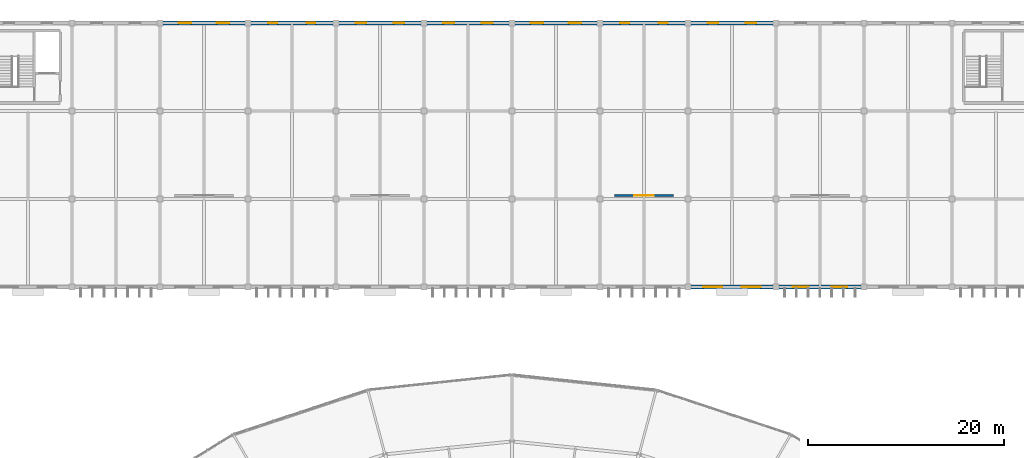
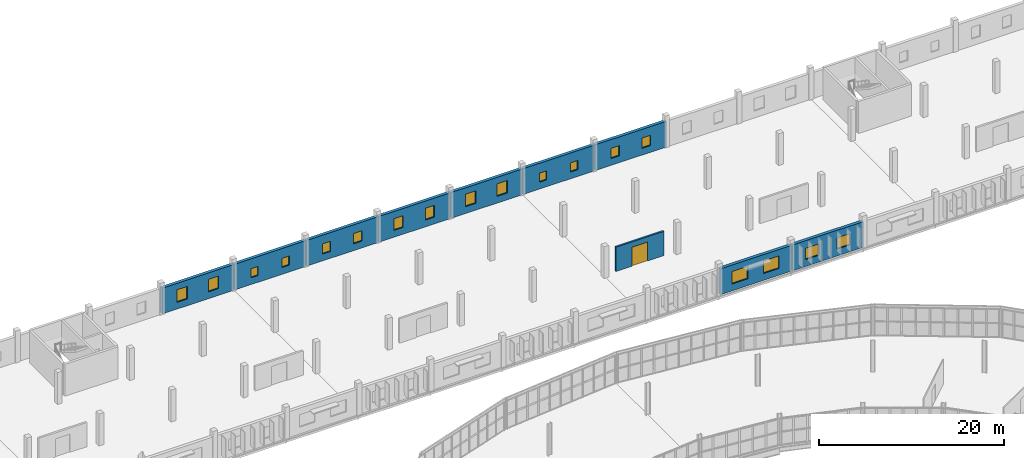
# One storey, part 146 of 161: 18 windows, 10 walls, 1 door, 19 openings.
"""IFC4 building model written with IfcOpenShell, lengths in metres."""

from ifc_helpers import new_model, si_unit, direction, frame, frame_2d, origin, place, context, subcontext, project, spatial, rectangle, extrude, material, layer, layer_set, type_object, element, fill, save


model = new_model("IFC4")

# Units and contexts
model_context = context("Model", 3, precision=1e-05, world=origin(), true_north=direction((0.0, 1.0)))
body_context = subcontext(model_context, "Body", "Model", "MODEL_VIEW")
ifc_project = project(units=[si_unit("LENGTHUNIT", "METRE"), si_unit("AREAUNIT", "SQUARE_METRE"), si_unit("VOLUMEUNIT", "CUBIC_METRE"), si_unit("PLANEANGLEUNIT", "RADIAN"), si_unit("MASSUNIT", "GRAM", prefix="KILO")], contexts=[model_context])

# Site, building, storey
site_placement = place(None, origin())
site = spatial("IfcSite", under=ifc_project, at=site_placement, CompositionType="ELEMENT")
building_placement = place(site_placement, origin())
building = spatial("IfcBuilding", under=site, at=building_placement, Name="Kildeholm Park Wholesale Market", CompositionType="ELEMENT")
storey_placement = place(building_placement, frame((0.0, 0.0, 5.39990234375)))
storey = spatial("IfcBuildingStorey", under=building, at=storey_placement, Name="L01", CompositionType="ELEMENT", Elevation=5.39990234375)

# Wall, openings, windows
ifc_material_1 = material(Name="Precast concrete C40/50 insulated cold-store envelope wall", Category="concrete")
ifc_layer_1 = layer(ifc_material_1, 0.3798828125)
ifc_layer_set_1 = layer_set([ifc_layer_1], Name="Precast concrete C40/50 insulated cold-store envelope wall")
wall_type_1 = type_object("IfcWallType", Name="Exterior wall W-CS1 380 mm", PredefinedType="SOLIDWALL", material=ifc_layer_set_1)
wall_1_placement = place(storey_placement, frame((63.06005859375, 171.0, 0.0), z_axis=(0.0, 0.0, 1.0), x_axis=(1.0, 0.0, 0.0)))
wall_1 = element("IfcWall", 1, at=wall_1_placement, inside=storey, type_object=wall_type_1, Name="Exterior wall V4N-L01.8 WL-0344", PredefinedType="SOLIDWALL", context=body_context, shape_type="SweptSolid", body=[
    extrude(rectangle(XDim=8.8798828125, YDim=0.3798828125, at=frame_2d((4.43994140625, 0.0))), origin(), (0.0, 0.0, 1.0), 3.400146484375),
])
opening_1_placement = place(wall_1_placement, frame((1.845947265625, 0.0, 0.89990234375)))
opening_1 = element("IfcOpeningElement", 2, at=opening_1_placement, cuts=wall_1, Name="Opening WN-36", PredefinedType="OPENING", context=body_context, shape_type="SweptSolid", body=[
    extrude(rectangle(XDim=1.280029296875, YDim=1.64990234375, at=frame_2d((0.64013671875, 0.824951171875))), frame((0.0, 0.199951171875, 0.0), z_axis=(0.0, -1.0, 0.0), x_axis=(1.0, 0.0, 0.0)), (0.0, 0.0, 1.0), 0.39990234375),
])
opening_2_placement = place(wall_1_placement, frame((5.75390625, 0.0, 0.89990234375)))
opening_2 = element("IfcOpeningElement", 3, at=opening_2_placement, cuts=wall_1, Name="Opening WN-36", PredefinedType="OPENING", context=body_context, shape_type="SweptSolid", body=[
    extrude(rectangle(XDim=1.280029296875, YDim=1.64990234375, at=frame_2d((0.64013671875, 0.824951171875))), frame((0.0, 0.199951171875, 0.0), z_axis=(0.0, -1.0, 0.0), x_axis=(1.0, 0.0, 0.0)), (0.0, 0.0, 1.0), 0.39990234375),
])
ifc_material_2 = material(Name="Thermally broken aluminium and triple-glazed low-E glass", Category="aluminium")
window_type_1 = type_object("IfcWindowType", Name="Window WN-36 1280x1650", PartitioningType="DOUBLE_PANEL_VERTICAL", PredefinedType="WINDOW", material=ifc_material_2)
window_1_placement = place(opening_1_placement, origin())
window_1 = element("IfcWindow", 4, at=window_1_placement, inside=storey, type_object=window_type_1, Name="Window V4N-L01.8.1 WIN-0115", OverallHeight=1.64990234375, OverallWidth=1.280029296875, PartitioningType="SINGLE_PANEL", PredefinedType="WINDOW", context=body_context, shape_type="SweptSolid", body=[
    extrude(rectangle(XDim=1.280029296875, YDim=1.64990234375, at=frame_2d((0.64013671875, 0.824951171875))), frame((0.0, 0.030029296875, 0.0), z_axis=(0.0, -1.0, 0.0), x_axis=(1.0, 0.0, 0.0)), (0.0, 0.0, 1.0), 0.06005859375),
])
fill(opening_1, window_1)
window_2_placement = place(opening_2_placement, origin())
window_2 = element("IfcWindow", 5, at=window_2_placement, inside=storey, type_object=window_type_1, Name="Window V4N-L01.8.2 WIN-0116", OverallHeight=1.64990234375, OverallWidth=1.280029296875, PartitioningType="SINGLE_PANEL", PredefinedType="WINDOW", context=body_context, shape_type="SweptSolid", body=[
    extrude(rectangle(XDim=1.280029296875, YDim=1.64990234375, at=frame_2d((0.64013671875, 0.824951171875))), frame((0.0, 0.030029296875, 0.0), z_axis=(0.0, -1.0, 0.0), x_axis=(1.0, 0.0, 0.0)), (0.0, 0.0, 1.0), 0.06005859375),
])
fill(opening_2, window_2)

wall_2_placement = place(storey_placement, frame((72.06005859375, 171.0, 0.0), z_axis=(0.0, 0.0, 1.0), x_axis=(1.0, 0.0, 0.0)))
wall_2 = element("IfcWall", 6, at=wall_2_placement, inside=storey, type_object=wall_type_1, Name="Exterior wall V4N-L01.9 WL-0345", PredefinedType="SOLIDWALL", context=body_context, shape_type="SweptSolid", body=[
    extrude(rectangle(XDim=8.8798828125, YDim=0.3798828125, at=frame_2d((4.43994140625, 0.0))), origin(), (0.0, 0.0, 1.0), 3.400146484375),
])
opening_3_placement = place(wall_2_placement, frame((2.035888671875, 0.0, 0.89990234375)))
opening_3 = element("IfcOpeningElement", 7, at=opening_3_placement, cuts=wall_2, Name="Opening WN-17", PredefinedType="OPENING", context=body_context, shape_type="SweptSolid", body=[
    extrude(rectangle(XDim=0.89990234375, YDim=1.199951171875, at=frame_2d((0.449951171875, 0.60009765625))), frame((0.0, 0.199951171875, 0.0), z_axis=(0.0, -1.0, 0.0), x_axis=(1.0, 0.0, 0.0)), (0.0, 0.0, 1.0), 0.39990234375),
])
opening_4_placement = place(wall_2_placement, frame((5.944091796875, 0.0, 0.89990234375)))
opening_4 = element("IfcOpeningElement", 8, at=opening_4_placement, cuts=wall_2, Name="Opening WN-17", PredefinedType="OPENING", context=body_context, shape_type="SweptSolid", body=[
    extrude(rectangle(XDim=0.89990234375, YDim=1.199951171875, at=frame_2d((0.449951171875, 0.60009765625))), frame((0.0, 0.199951171875, 0.0), z_axis=(0.0, -1.0, 0.0), x_axis=(1.0, 0.0, 0.0)), (0.0, 0.0, 1.0), 0.39990234375),
])
window_type_2 = type_object("IfcWindowType", Name="Window WN-17 900x1200", PartitioningType="SINGLE_PANEL", PredefinedType="WINDOW", material=ifc_material_2)
window_3_placement = place(opening_3_placement, origin())
window_3 = element("IfcWindow", 9, at=window_3_placement, inside=storey, type_object=window_type_2, Name="Window V4N-L01.9.1 WIN-0117", OverallHeight=1.199951171875, OverallWidth=0.89990234375, PartitioningType="SINGLE_PANEL", PredefinedType="WINDOW", context=body_context, shape_type="SweptSolid", body=[
    extrude(rectangle(XDim=0.89990234375, YDim=1.199951171875, at=frame_2d((0.449951171875, 0.60009765625))), frame((0.0, 0.030029296875, 0.0), z_axis=(0.0, -1.0, 0.0), x_axis=(1.0, 0.0, 0.0)), (0.0, 0.0, 1.0), 0.06005859375),
])
fill(opening_3, window_3)
window_4_placement = place(opening_4_placement, origin())
window_4 = element("IfcWindow", 10, at=window_4_placement, inside=storey, type_object=window_type_2, Name="Window V4N-L01.9.2 WIN-0118", OverallHeight=1.199951171875, OverallWidth=0.89990234375, PartitioningType="SINGLE_PANEL", PredefinedType="WINDOW", context=body_context, shape_type="SweptSolid", body=[
    extrude(rectangle(XDim=0.89990234375, YDim=1.199951171875, at=frame_2d((0.449951171875, 0.60009765625))), frame((0.0, 0.030029296875, 0.0), z_axis=(0.0, -1.0, 0.0), x_axis=(1.0, 0.0, 0.0)), (0.0, 0.0, 1.0), 0.06005859375),
])
fill(opening_4, window_4)

wall_3_placement = place(storey_placement, frame((81.06005859375, 171.0, 0.0), z_axis=(0.0, 0.0, 1.0), x_axis=(1.0, 0.0, 0.0)))
wall_3 = element("IfcWall", 11, at=wall_3_placement, inside=storey, type_object=wall_type_1, Name="Exterior wall V4N-L01.10 WL-0346", PredefinedType="SOLIDWALL", context=body_context, shape_type="SweptSolid", body=[
    extrude(rectangle(XDim=8.8798828125, YDim=0.3798828125, at=frame_2d((4.43994140625, 0.0))), origin(), (0.0, 0.0, 1.0), 3.400146484375),
])
opening_5_placement = place(wall_3_placement, frame((1.9609375, 0.0, 0.89990234375)))
opening_5 = element("IfcOpeningElement", 12, at=opening_5_placement, cuts=wall_3, Name="Opening WN-26", PredefinedType="OPENING", context=body_context, shape_type="SweptSolid", body=[
    extrude(rectangle(XDim=1.050048828125, YDim=1.35009765625, at=frame_2d((0.52490234375, 0.675048828125))), frame((0.0, 0.199951171875, 0.0), z_axis=(0.0, -1.0, 0.0), x_axis=(1.0, 0.0, 0.0)), (0.0, 0.0, 1.0), 0.39990234375),
])
opening_6_placement = place(wall_3_placement, frame((5.868896484375, 0.0, 0.89990234375)))
opening_6 = element("IfcOpeningElement", 13, at=opening_6_placement, cuts=wall_3, Name="Opening WN-26", PredefinedType="OPENING", context=body_context, shape_type="SweptSolid", body=[
    extrude(rectangle(XDim=1.050048828125, YDim=1.35009765625, at=frame_2d((0.52490234375, 0.675048828125))), frame((0.0, 0.199951171875, 0.0), z_axis=(0.0, -1.0, 0.0), x_axis=(1.0, 0.0, 0.0)), (0.0, 0.0, 1.0), 0.39990234375),
])
window_type_3 = type_object("IfcWindowType", Name="Window WN-26 1050x1350", PartitioningType="SINGLE_PANEL", PredefinedType="WINDOW", material=ifc_material_2)
window_5_placement = place(opening_5_placement, origin())
window_5 = element("IfcWindow", 14, at=window_5_placement, inside=storey, type_object=window_type_3, Name="Window V4N-L01.10.1 WIN-0119", OverallHeight=1.35009765625, OverallWidth=1.050048828125, PartitioningType="SINGLE_PANEL", PredefinedType="WINDOW", context=body_context, shape_type="SweptSolid", body=[
    extrude(rectangle(XDim=1.050048828125, YDim=1.35009765625, at=frame_2d((0.52490234375, 0.675048828125))), frame((0.0, 0.030029296875, 0.0), z_axis=(0.0, -1.0, 0.0), x_axis=(1.0, 0.0, 0.0)), (0.0, 0.0, 1.0), 0.06005859375),
])
fill(opening_5, window_5)
window_6_placement = place(opening_6_placement, origin())
window_6 = element("IfcWindow", 15, at=window_6_placement, inside=storey, type_object=window_type_3, Name="Window V4N-L01.10.2 WIN-0120", OverallHeight=1.35009765625, OverallWidth=1.050048828125, PartitioningType="SINGLE_PANEL", PredefinedType="WINDOW", context=body_context, shape_type="SweptSolid", body=[
    extrude(rectangle(XDim=1.050048828125, YDim=1.35009765625, at=frame_2d((0.52490234375, 0.675048828125))), frame((0.0, 0.030029296875, 0.0), z_axis=(0.0, -1.0, 0.0), x_axis=(1.0, 0.0, 0.0)), (0.0, 0.0, 1.0), 0.06005859375),
])
fill(opening_6, window_6)

wall_4_placement = place(storey_placement, frame((90.06005859375, 171.0, 0.0), z_axis=(0.0, 0.0, 1.0), x_axis=(1.0, 0.0, 0.0)))
wall_4 = element("IfcWall", 16, at=wall_4_placement, inside=storey, type_object=wall_type_1, Name="Exterior wall V4N-L01.11 WL-0347", PredefinedType="SOLIDWALL", context=body_context, shape_type="SweptSolid", body=[
    extrude(rectangle(XDim=8.8798828125, YDim=0.3798828125, at=frame_2d((4.43994140625, 0.0))), origin(), (0.0, 0.0, 1.0), 3.400146484375),
])
opening_7_placement = place(wall_4_placement, frame((1.926025390625, 0.0, 0.89990234375)))
opening_7 = element("IfcOpeningElement", 17, at=opening_7_placement, cuts=wall_4, Name="Opening WN-35", PredefinedType="OPENING", context=body_context, shape_type="SweptSolid", body=[
    extrude(rectangle(XDim=1.1201171875, YDim=1.550048828125, at=frame_2d((0.56005859375, 0.77490234375))), frame((0.0, 0.199951171875, 0.0), z_axis=(0.0, -1.0, 0.0), x_axis=(1.0, 0.0, 0.0)), (0.0, 0.0, 1.0), 0.39990234375),
])
opening_8_placement = place(wall_4_placement, frame((5.833984375, 0.0, 0.89990234375)))
opening_8 = element("IfcOpeningElement", 18, at=opening_8_placement, cuts=wall_4, Name="Opening WN-35", PredefinedType="OPENING", context=body_context, shape_type="SweptSolid", body=[
    extrude(rectangle(XDim=1.1201171875, YDim=1.550048828125, at=frame_2d((0.56005859375, 0.77490234375))), frame((0.0, 0.199951171875, 0.0), z_axis=(0.0, -1.0, 0.0), x_axis=(1.0, 0.0, 0.0)), (0.0, 0.0, 1.0), 0.39990234375),
])
window_type_4 = type_object("IfcWindowType", Name="Window WN-35 1120x1550", PartitioningType="SINGLE_PANEL", PredefinedType="WINDOW", material=ifc_material_2)
window_7_placement = place(opening_7_placement, origin())
window_7 = element("IfcWindow", 19, at=window_7_placement, inside=storey, type_object=window_type_4, Name="Window V4N-L01.11.1 WIN-0121", OverallHeight=1.550048828125, OverallWidth=1.1201171875, PartitioningType="SINGLE_PANEL", PredefinedType="WINDOW", context=body_context, shape_type="SweptSolid", body=[
    extrude(rectangle(XDim=1.1201171875, YDim=1.550048828125, at=frame_2d((0.56005859375, 0.77490234375))), frame((0.0, 0.030029296875, 0.0), z_axis=(0.0, -1.0, 0.0), x_axis=(1.0, 0.0, 0.0)), (0.0, 0.0, 1.0), 0.06005859375),
])
fill(opening_7, window_7)
window_8_placement = place(opening_8_placement, origin())
window_8 = element("IfcWindow", 20, at=window_8_placement, inside=storey, type_object=window_type_4, Name="Window V4N-L01.11.2 WIN-0122", OverallHeight=1.550048828125, OverallWidth=1.1201171875, PartitioningType="SINGLE_PANEL", PredefinedType="WINDOW", context=body_context, shape_type="SweptSolid", body=[
    extrude(rectangle(XDim=1.1201171875, YDim=1.550048828125, at=frame_2d((0.56005859375, 0.77490234375))), frame((0.0, 0.030029296875, 0.0), z_axis=(0.0, -1.0, 0.0), x_axis=(1.0, 0.0, 0.0)), (0.0, 0.0, 1.0), 0.06005859375),
])
fill(opening_8, window_8)

wall_5_placement = place(storey_placement, frame((99.06005859375, 171.0, 0.0), z_axis=(0.0, 0.0, 1.0), x_axis=(1.0, 0.0, 0.0)))
wall_5 = element("IfcWall", 21, at=wall_5_placement, inside=storey, type_object=wall_type_1, Name="Exterior wall V4N-L01.12 WL-0348", PredefinedType="SOLIDWALL", context=body_context, shape_type="SweptSolid", body=[
    extrude(rectangle(XDim=8.8798828125, YDim=0.3798828125, at=frame_2d((4.43994140625, 0.0))), origin(), (0.0, 0.0, 1.0), 3.400146484375),
])
opening_9_placement = place(wall_5_placement, frame((1.845947265625, 0.0, 0.89990234375)))
opening_9 = element("IfcOpeningElement", 22, at=opening_9_placement, cuts=wall_5, Name="Opening WN-36", PredefinedType="OPENING", context=body_context, shape_type="SweptSolid", body=[
    extrude(rectangle(XDim=1.280029296875, YDim=1.64990234375, at=frame_2d((0.64013671875, 0.824951171875))), frame((0.0, 0.199951171875, 0.0), z_axis=(0.0, -1.0, 0.0), x_axis=(1.0, 0.0, 0.0)), (0.0, 0.0, 1.0), 0.39990234375),
])
opening_10_placement = place(wall_5_placement, frame((5.75390625, 0.0, 0.89990234375)))
opening_10 = element("IfcOpeningElement", 23, at=opening_10_placement, cuts=wall_5, Name="Opening WN-36", PredefinedType="OPENING", context=body_context, shape_type="SweptSolid", body=[
    extrude(rectangle(XDim=1.280029296875, YDim=1.64990234375, at=frame_2d((0.64013671875, 0.824951171875))), frame((0.0, 0.199951171875, 0.0), z_axis=(0.0, -1.0, 0.0), x_axis=(1.0, 0.0, 0.0)), (0.0, 0.0, 1.0), 0.39990234375),
])
window_9_placement = place(opening_9_placement, origin())
window_9 = element("IfcWindow", 24, at=window_9_placement, inside=storey, type_object=window_type_1, Name="Window V4N-L01.12.1 WIN-0123", OverallHeight=1.64990234375, OverallWidth=1.280029296875, PartitioningType="SINGLE_PANEL", PredefinedType="WINDOW", context=body_context, shape_type="SweptSolid", body=[
    extrude(rectangle(XDim=1.280029296875, YDim=1.64990234375, at=frame_2d((0.64013671875, 0.824951171875))), frame((0.0, 0.030029296875, 0.0), z_axis=(0.0, -1.0, 0.0), x_axis=(1.0, 0.0, 0.0)), (0.0, 0.0, 1.0), 0.06005859375),
])
fill(opening_9, window_9)
window_10_placement = place(opening_10_placement, origin())
window_10 = element("IfcWindow", 25, at=window_10_placement, inside=storey, type_object=window_type_1, Name="Window V4N-L01.12.2 WIN-0124", OverallHeight=1.64990234375, OverallWidth=1.280029296875, PartitioningType="SINGLE_PANEL", PredefinedType="WINDOW", context=body_context, shape_type="SweptSolid", body=[
    extrude(rectangle(XDim=1.280029296875, YDim=1.64990234375, at=frame_2d((0.64013671875, 0.824951171875))), frame((0.0, 0.030029296875, 0.0), z_axis=(0.0, -1.0, 0.0), x_axis=(1.0, 0.0, 0.0)), (0.0, 0.0, 1.0), 0.06005859375),
])
fill(opening_10, window_10)

wall_6_placement = place(storey_placement, frame((108.06005859375, 171.0, 0.0), z_axis=(0.0, 0.0, 1.0), x_axis=(1.0, 0.0, 0.0)))
wall_6 = element("IfcWall", 26, at=wall_6_placement, inside=storey, type_object=wall_type_1, Name="Exterior wall V4N-L01.13 WL-0349", PredefinedType="SOLIDWALL", context=body_context, shape_type="SweptSolid", body=[
    extrude(rectangle(XDim=8.8798828125, YDim=0.3798828125, at=frame_2d((4.43994140625, 0.0))), origin(), (0.0, 0.0, 1.0), 3.400146484375),
])
opening_11_placement = place(wall_6_placement, frame((2.035888671875, 0.0, 0.89990234375)))
opening_11 = element("IfcOpeningElement", 27, at=opening_11_placement, cuts=wall_6, Name="Opening WN-17", PredefinedType="OPENING", context=body_context, shape_type="SweptSolid", body=[
    extrude(rectangle(XDim=0.89990234375, YDim=1.199951171875, at=frame_2d((0.449951171875, 0.60009765625))), frame((0.0, 0.199951171875, 0.0), z_axis=(0.0, -1.0, 0.0), x_axis=(1.0, 0.0, 0.0)), (0.0, 0.0, 1.0), 0.39990234375),
])
opening_12_placement = place(wall_6_placement, frame((5.944091796875, 0.0, 0.89990234375)))
opening_12 = element("IfcOpeningElement", 28, at=opening_12_placement, cuts=wall_6, Name="Opening WN-17", PredefinedType="OPENING", context=body_context, shape_type="SweptSolid", body=[
    extrude(rectangle(XDim=0.89990234375, YDim=1.199951171875, at=frame_2d((0.449951171875, 0.60009765625))), frame((0.0, 0.199951171875, 0.0), z_axis=(0.0, -1.0, 0.0), x_axis=(1.0, 0.0, 0.0)), (0.0, 0.0, 1.0), 0.39990234375),
])
window_11_placement = place(opening_11_placement, origin())
window_11 = element("IfcWindow", 29, at=window_11_placement, inside=storey, type_object=window_type_2, Name="Window V4N-L01.13.1 WIN-0125", OverallHeight=1.199951171875, OverallWidth=0.89990234375, PartitioningType="SINGLE_PANEL", PredefinedType="WINDOW", context=body_context, shape_type="SweptSolid", body=[
    extrude(rectangle(XDim=0.89990234375, YDim=1.199951171875, at=frame_2d((0.449951171875, 0.60009765625))), frame((0.0, 0.030029296875, 0.0), z_axis=(0.0, -1.0, 0.0), x_axis=(1.0, 0.0, 0.0)), (0.0, 0.0, 1.0), 0.06005859375),
])
fill(opening_11, window_11)
window_12_placement = place(opening_12_placement, origin())
window_12 = element("IfcWindow", 30, at=window_12_placement, inside=storey, type_object=window_type_2, Name="Window V4N-L01.13.2 WIN-0126", OverallHeight=1.199951171875, OverallWidth=0.89990234375, PartitioningType="SINGLE_PANEL", PredefinedType="WINDOW", context=body_context, shape_type="SweptSolid", body=[
    extrude(rectangle(XDim=0.89990234375, YDim=1.199951171875, at=frame_2d((0.449951171875, 0.60009765625))), frame((0.0, 0.030029296875, 0.0), z_axis=(0.0, -1.0, 0.0), x_axis=(1.0, 0.0, 0.0)), (0.0, 0.0, 1.0), 0.06005859375),
])
fill(opening_12, window_12)

wall_7_placement = place(storey_placement, frame((117.06005859375, 171.0, 0.0), z_axis=(0.0, 0.0, 1.0), x_axis=(1.0, 0.0, 0.0)))
wall_7 = element("IfcWall", 31, at=wall_7_placement, inside=storey, type_object=wall_type_1, Name="Exterior wall V4N-L01.14 WL-0350", PredefinedType="SOLIDWALL", context=body_context, shape_type="SweptSolid", body=[
    extrude(rectangle(XDim=8.8798828125, YDim=0.3798828125, at=frame_2d((4.43994140625, 0.0))), origin(), (0.0, 0.0, 1.0), 3.400146484375),
])
opening_13_placement = place(wall_7_placement, frame((1.9609375, 0.0, 0.89990234375)))
opening_13 = element("IfcOpeningElement", 32, at=opening_13_placement, cuts=wall_7, Name="Opening WN-26", PredefinedType="OPENING", context=body_context, shape_type="SweptSolid", body=[
    extrude(rectangle(XDim=1.050048828125, YDim=1.35009765625, at=frame_2d((0.52490234375, 0.675048828125))), frame((0.0, 0.199951171875, 0.0), z_axis=(0.0, -1.0, 0.0), x_axis=(1.0, 0.0, 0.0)), (0.0, 0.0, 1.0), 0.39990234375),
])
opening_14_placement = place(wall_7_placement, frame((5.868896484375, 0.0, 0.89990234375)))
opening_14 = element("IfcOpeningElement", 33, at=opening_14_placement, cuts=wall_7, Name="Opening WN-26", PredefinedType="OPENING", context=body_context, shape_type="SweptSolid", body=[
    extrude(rectangle(XDim=1.050048828125, YDim=1.35009765625, at=frame_2d((0.52490234375, 0.675048828125))), frame((0.0, 0.199951171875, 0.0), z_axis=(0.0, -1.0, 0.0), x_axis=(1.0, 0.0, 0.0)), (0.0, 0.0, 1.0), 0.39990234375),
])
window_13_placement = place(opening_13_placement, origin())
window_13 = element("IfcWindow", 34, at=window_13_placement, inside=storey, type_object=window_type_3, Name="Window V4N-L01.14.1 WIN-0127", OverallHeight=1.35009765625, OverallWidth=1.050048828125, PartitioningType="SINGLE_PANEL", PredefinedType="WINDOW", context=body_context, shape_type="SweptSolid", body=[
    extrude(rectangle(XDim=1.050048828125, YDim=1.35009765625, at=frame_2d((0.52490234375, 0.675048828125))), frame((0.0, 0.030029296875, 0.0), z_axis=(0.0, -1.0, 0.0), x_axis=(1.0, 0.0, 0.0)), (0.0, 0.0, 1.0), 0.06005859375),
])
fill(opening_13, window_13)
window_14_placement = place(opening_14_placement, origin())
window_14 = element("IfcWindow", 35, at=window_14_placement, inside=storey, type_object=window_type_3, Name="Window V4N-L01.14.2 WIN-0128", OverallHeight=1.35009765625, OverallWidth=1.050048828125, PartitioningType="SINGLE_PANEL", PredefinedType="WINDOW", context=body_context, shape_type="SweptSolid", body=[
    extrude(rectangle(XDim=1.050048828125, YDim=1.35009765625, at=frame_2d((0.52490234375, 0.675048828125))), frame((0.0, 0.030029296875, 0.0), z_axis=(0.0, -1.0, 0.0), x_axis=(1.0, 0.0, 0.0)), (0.0, 0.0, 1.0), 0.06005859375),
])
fill(opening_14, window_14)

wall_8_placement = place(storey_placement, frame((117.06005859375, 144.0, 0.0), z_axis=(0.0, 0.0, 1.0), x_axis=(1.0, 0.0, 0.0)))
wall_8 = element("IfcWall", 36, at=wall_8_placement, inside=storey, type_object=wall_type_1, Name="Exterior wall V4S-L01.10 WL-0462", PredefinedType="SOLIDWALL", context=body_context, shape_type="SweptSolid", body=[
    extrude(rectangle(XDim=8.8798828125, YDim=0.3798828125, at=frame_2d((4.43994140625, 0.0))), origin(), (0.0, 0.0, 1.0), 3.400146484375),
])
opening_15_placement = place(wall_8_placement, frame((1.510986328125, 0.0, 0.89990234375)))
opening_15 = element("IfcOpeningElement", 37, at=opening_15_placement, cuts=wall_8, Name="Opening WN-22", PredefinedType="OPENING", context=body_context, shape_type="SweptSolid", body=[
    extrude(rectangle(XDim=1.949951171875, YDim=1.64990234375, at=frame_2d((0.97509765625, 0.824951171875))), frame((0.0, 0.199951171875, 0.0), z_axis=(0.0, -1.0, 0.0), x_axis=(1.0, 0.0, 0.0)), (0.0, 0.0, 1.0), 0.39990234375),
])
opening_16_placement = place(wall_8_placement, frame((5.4189453125, 0.0, 0.89990234375)))
opening_16 = element("IfcOpeningElement", 38, at=opening_16_placement, cuts=wall_8, Name="Opening WN-22", PredefinedType="OPENING", context=body_context, shape_type="SweptSolid", body=[
    extrude(rectangle(XDim=1.949951171875, YDim=1.64990234375, at=frame_2d((0.97509765625, 0.824951171875))), frame((0.0, 0.199951171875, 0.0), z_axis=(0.0, -1.0, 0.0), x_axis=(1.0, 0.0, 0.0)), (0.0, 0.0, 1.0), 0.39990234375),
])
window_type_5 = type_object("IfcWindowType", Name="Window WN-22 1950x1650", PartitioningType="DOUBLE_PANEL_VERTICAL", PredefinedType="WINDOW", material=ifc_material_2)
window_15_placement = place(opening_15_placement, origin())
window_15 = element("IfcWindow", 39, at=window_15_placement, inside=storey, type_object=window_type_5, Name="Window V4S-L01.10.1 WIN-0251", OverallHeight=1.64990234375, OverallWidth=1.949951171875, PartitioningType="SINGLE_PANEL", PredefinedType="WINDOW", context=body_context, shape_type="SweptSolid", body=[
    extrude(rectangle(XDim=1.949951171875, YDim=1.64990234375, at=frame_2d((0.97509765625, 0.824951171875))), frame((0.0, 0.030029296875, 0.0), z_axis=(0.0, -1.0, 0.0), x_axis=(1.0, 0.0, 0.0)), (0.0, 0.0, 1.0), 0.06005859375),
])
fill(opening_15, window_15)
window_16_placement = place(opening_16_placement, origin())
window_16 = element("IfcWindow", 40, at=window_16_placement, inside=storey, type_object=window_type_5, Name="Window V4S-L01.10.2 WIN-0252", OverallHeight=1.64990234375, OverallWidth=1.949951171875, PartitioningType="SINGLE_PANEL", PredefinedType="WINDOW", context=body_context, shape_type="SweptSolid", body=[
    extrude(rectangle(XDim=1.949951171875, YDim=1.64990234375, at=frame_2d((0.97509765625, 0.824951171875))), frame((0.0, 0.030029296875, 0.0), z_axis=(0.0, -1.0, 0.0), x_axis=(1.0, 0.0, 0.0)), (0.0, 0.0, 1.0), 0.06005859375),
])
fill(opening_16, window_16)

wall_9_placement = place(storey_placement, frame((126.06005859375, 144.0, 0.0), z_axis=(0.0, 0.0, 1.0), x_axis=(1.0, 0.0, 0.0)))
wall_9 = element("IfcWall", 41, at=wall_9_placement, inside=storey, type_object=wall_type_1, Name="Exterior wall V4S-L01.11 WL-0463", PredefinedType="SOLIDWALL", context=body_context, shape_type="SweptSolid", body=[
    extrude(rectangle(XDim=8.8798828125, YDim=0.3798828125, at=frame_2d((4.43994140625, 0.0))), origin(), (0.0, 0.0, 1.0), 3.400146484375),
])
opening_17_placement = place(wall_9_placement, frame((1.660888671875, 0.0, 0.89990234375)))
opening_17 = element("IfcOpeningElement", 42, at=opening_17_placement, cuts=wall_9, Name="Opening WN-11", PredefinedType="OPENING", context=body_context, shape_type="SweptSolid", body=[
    extrude(rectangle(XDim=1.64990234375, YDim=1.5, at=frame_2d((0.824951171875, 0.75))), frame((0.0, 0.199951171875, 0.0), z_axis=(0.0, -1.0, 0.0), x_axis=(1.0, 0.0, 0.0)), (0.0, 0.0, 1.0), 0.39990234375),
])
opening_18_placement = place(wall_9_placement, frame((5.569091796875, 0.0, 0.89990234375)))
opening_18 = element("IfcOpeningElement", 43, at=opening_18_placement, cuts=wall_9, Name="Opening WN-11", PredefinedType="OPENING", context=body_context, shape_type="SweptSolid", body=[
    extrude(rectangle(XDim=1.64990234375, YDim=1.5, at=frame_2d((0.824951171875, 0.75))), frame((0.0, 0.199951171875, 0.0), z_axis=(0.0, -1.0, 0.0), x_axis=(1.0, 0.0, 0.0)), (0.0, 0.0, 1.0), 0.39990234375),
])
window_type_6 = type_object("IfcWindowType", Name="Window WN-11 1650x1500", PartitioningType="DOUBLE_PANEL_VERTICAL", PredefinedType="WINDOW", material=ifc_material_2)
window_17_placement = place(opening_17_placement, origin())
window_17 = element("IfcWindow", 44, at=window_17_placement, inside=storey, type_object=window_type_6, Name="Window V4S-L01.11.1 WIN-0253", OverallHeight=1.5, OverallWidth=1.64990234375, PartitioningType="SINGLE_PANEL", PredefinedType="WINDOW", context=body_context, shape_type="SweptSolid", body=[
    extrude(rectangle(XDim=1.64990234375, YDim=1.5, at=frame_2d((0.824951171875, 0.75))), frame((0.0, 0.030029296875, 0.0), z_axis=(0.0, -1.0, 0.0), x_axis=(1.0, 0.0, 0.0)), (0.0, 0.0, 1.0), 0.06005859375),
])
fill(opening_17, window_17)
window_18_placement = place(opening_18_placement, origin())
window_18 = element("IfcWindow", 45, at=window_18_placement, inside=storey, type_object=window_type_6, Name="Window V4S-L01.11.2 WIN-0254", OverallHeight=1.5, OverallWidth=1.64990234375, PartitioningType="SINGLE_PANEL", PredefinedType="WINDOW", context=body_context, shape_type="SweptSolid", body=[
    extrude(rectangle(XDim=1.64990234375, YDim=1.5, at=frame_2d((0.824951171875, 0.75))), frame((0.0, 0.030029296875, 0.0), z_axis=(0.0, -1.0, 0.0), x_axis=(1.0, 0.0, 0.0)), (0.0, 0.0, 1.0), 0.06005859375),
])
fill(opening_18, window_18)

# Wall, opening, door
ifc_material_3 = material(Name="Insulated cold-store internal sandwich wall")
ifc_layer_2 = layer(ifc_material_3, 0.22509765625)
ifc_layer_set_2 = layer_set([ifc_layer_2], Name="Insulated cold-store internal sandwich wall")
wall_type_2 = type_object("IfcWallType", Name="Partition W-PT09 225 mm", PredefinedType="PARTITIONING", material=ifc_layer_set_2)
wall_10_placement = place(storey_placement, frame((109.5, 153.35009765625, 0.0), z_axis=(0.0, 0.0, 1.0), x_axis=(1.0, 0.0, 0.0)))
wall_10 = element("IfcWall", 46, at=wall_10_placement, inside=storey, type_object=wall_type_2, Name="Interior partition W-V4-L01-CSS04 WL-0986", PredefinedType="PARTITIONING", context=body_context, shape_type="SweptSolid", body=[
    extrude(rectangle(XDim=6.0, YDim=0.22509765625, at=frame_2d((3.0, 0.0))), origin(), (0.0, 0.0, 1.0), 3.2001953125),
])
opening_19_placement = place(wall_10_placement, frame((2.02490234375, 0.0, 0.0)))
opening_19 = element("IfcOpeningElement", 47, at=opening_19_placement, cuts=wall_10, Name="Opening D-CS03", PredefinedType="OPENING", context=body_context, shape_type="SweptSolid", body=[
    extrude(rectangle(XDim=1.949951171875, YDim=2.5, at=frame_2d((0.97509765625, 1.25))), frame((0.0, 0.12255859375, 0.0), z_axis=(0.0, -1.0, 0.0), x_axis=(1.0, 0.0, 0.0)), (0.0, 0.0, 1.0), 0.2451171875),
])
ifc_material_4 = material(Name="Insulated stainless-steel dairy chiller sliding door", Category="steel")
door_type = type_object("IfcDoorType", Name="Interior door D-CS03 1950x2500", OperationType="NOTDEFINED", PredefinedType="DOOR", material=ifc_material_4)
door_placement = place(opening_19_placement, origin())
door = element("IfcDoor", 48, at=door_placement, inside=storey, type_object=door_type, Name="Interior door V4-L01-CSS04 DR-0261 WL-0986", OperationType="SLIDING_TO_LEFT", OverallHeight=2.5, OverallWidth=1.949951171875, PredefinedType="DOOR", context=body_context, shape_type="SweptSolid", body=[
    extrude(rectangle(XDim=1.949951171875, YDim=2.5, at=frame_2d((0.97509765625, 1.25))), frame((0.0, 0.02490234375, 0.0), z_axis=(0.0, -1.0, 0.0), x_axis=(1.0, 0.0, 0.0)), (0.0, 0.0, 1.0), 0.050048828125),
])
fill(opening_19, door)

save(model, "model.ifc")
